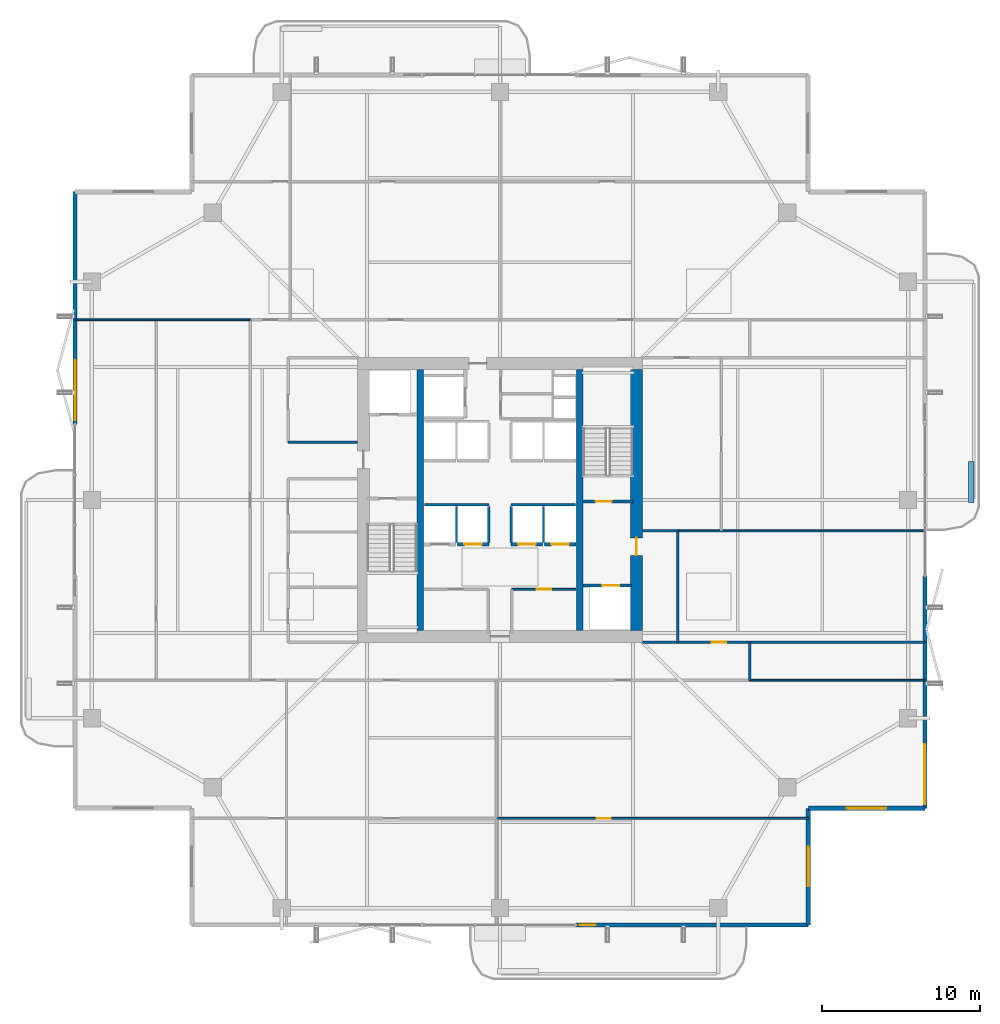
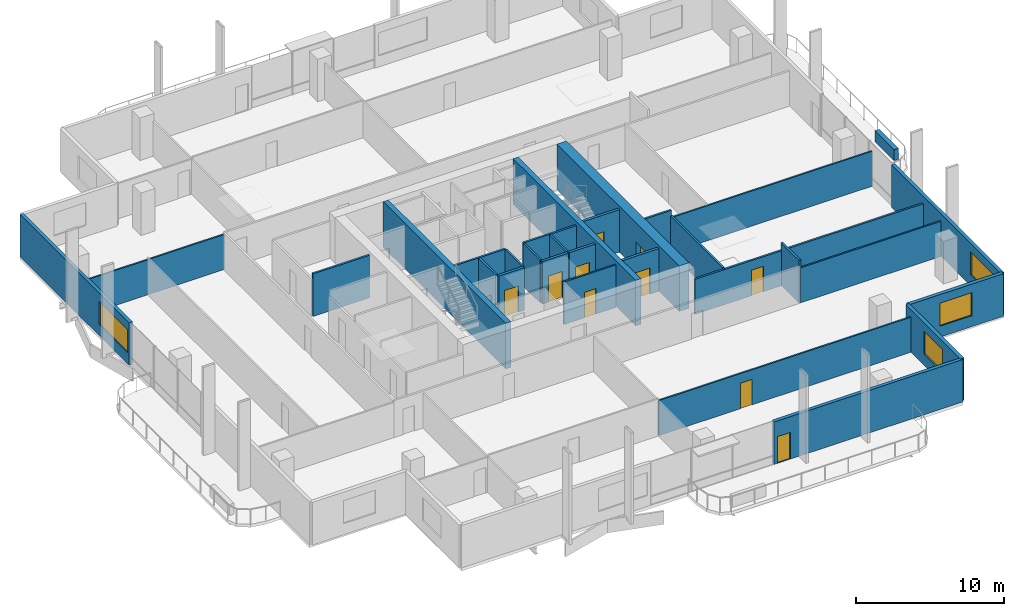
# One storey, part 18 of 24: 30 walls, 10 doors, 4 windows, 14 openings.
"""IFC4 building model written with IfcOpenShell, lengths in metres."""

from ifc_helpers import new_model, si_unit, direction, frame, frame_2d, origin, place, context, subcontext, project, spatial, rectangle, extrude, material, layer, layer_set, type_object, element, fill, save


model = new_model("IFC4")

# Units and contexts
model_context = context("Model", 3, precision=1e-05, world=origin(), true_north=direction((0.0, 1.0)))
body_context = subcontext(model_context, "Body", "Model", "MODEL_VIEW")
ifc_project = project(units=[si_unit("LENGTHUNIT", "METRE"), si_unit("AREAUNIT", "SQUARE_METRE"), si_unit("VOLUMEUNIT", "CUBIC_METRE"), si_unit("PLANEANGLEUNIT", "RADIAN"), si_unit("MASSUNIT", "GRAM", prefix="KILO")], contexts=[model_context])

# Site, building, storey
site_placement = place(None, origin())
site = spatial("IfcSite", under=ifc_project, at=site_placement, CompositionType="ELEMENT")
building_placement = place(site_placement, origin())
building = spatial("IfcBuilding", under=site, at=building_placement, Name="Belovzor Exchange Tower", CompositionType="ELEMENT")
storey_placement = place(building_placement, frame((0.0, 0.0, 211.199951171875)))
storey = spatial("IfcBuildingStorey", under=building, at=storey_placement, Name="L52", CompositionType="ELEMENT", Elevation=211.199951171875)

# Wall, opening, door
ifc_material_1 = material(Name="Acoustic Plasterboard on Galvanised Studs", Category="gypsum")
ifc_layer_1 = layer(ifc_material_1, 0.1201171875)
ifc_layer_set_1 = layer_set([ifc_layer_1], Name="Acoustic Plasterboard on Galvanised Studs")
wall_type_1 = type_object("IfcWallType", Name="Acoustic Double-Stud Partition Wall 120", PredefinedType="PARTITIONING", material=ifc_layer_set_1)
wall_1_placement = place(storey_placement, frame((28.56591796875, 8.6650390625, 0.0), z_axis=(0.0, 0.0, 1.0), x_axis=(1.0, 0.0, 0.0)))
wall_1 = element("IfcWall", 1, at=wall_1_placement, inside=storey, type_object=wall_type_1, Name="W-P120 Partition Wall W-L52-SHDIV-2", PredefinedType="PARTITIONING", context=body_context, shape_type="SweptSolid", body=[
    extrude(rectangle(XDim=19.734130859375, YDim=0.1201171875, at=frame_2d((9.8671875, 0.0))), origin(), (0.0, 0.0, 1.0), 2.885009765625),
])
opening_1_placement = place(wall_1_placement, frame((6.344970703125, 0.0, 0.0)))
opening_1 = element("IfcOpeningElement", 2, at=opening_1_placement, cuts=wall_1, Name="Opening D-INT-090", PredefinedType="OPENING", context=body_context, shape_type="SweptSolid", body=[
    extrude(rectangle(XDim=0.89990234375, YDim=2.10009765625, at=frame_2d((0.449951171875, 1.050048828125))), frame((0.0, 0.070068359375, 0.0), z_axis=(0.0, -1.0, 0.0), x_axis=(1.0, 0.0, 0.0)), (0.0, 0.0, 1.0), 0.14013671875),
])
ifc_material_2 = material(Name="Veneered Hardwood Acoustic Leaf", Category="wood")
door_type_1 = type_object("IfcDoorType", Name="Trading Suite Acoustic Single Door 900x2100", OperationType="NOTDEFINED", PredefinedType="DOOR", material=ifc_material_2)
door_1_placement = place(opening_1_placement, origin())
door_1 = element("IfcDoor", 3, at=door_1_placement, inside=storey, type_object=door_type_1, Name="D-INT-090 Trading Suite Acoustic Single Door 900x2100", OperationType="SINGLE_SWING_LEFT", OverallHeight=2.10009765625, OverallWidth=0.89990234375, PredefinedType="DOOR", context=body_context, shape_type="SweptSolid", body=[
    extrude(rectangle(XDim=0.89990234375, YDim=2.10009765625, at=frame_2d((0.449951171875, 1.050048828125))), frame((0.0, 0.02490234375, 0.0), z_axis=(0.0, -1.0, 0.0), x_axis=(1.0, 0.0, 0.0)), (0.0, 0.0, 1.0), 0.050048828125),
])
fill(opening_1, door_1)

# Walls
wall_2_placement = place(storey_placement, frame((40.050048828125, 26.85009765625, 0.0), z_axis=(0.0, 0.0, 1.0), x_axis=(1.0, 0.0, 0.0)))
element("IfcWall", 4, at=wall_2_placement, inside=storey, type_object=wall_type_1, Name="W-P120 Partition Wall W-L52-EDIV-1", PredefinedType="PARTITIONING", context=body_context, shape_type="SweptSolid", body=[
    extrude(rectangle(XDim=15.619873046875, YDim=0.1201171875, at=frame_2d((7.81005859375, 0.0))), origin(), (0.0, 0.0, 1.0), 2.885009765625),
])
wall_3_placement = place(storey_placement, frame((44.60009765625, 17.39990234375, 0.0), z_axis=(0.0, 0.0, 1.0), x_axis=(1.0, 0.0, 0.0)))
element("IfcWall", 5, at=wall_3_placement, inside=storey, type_object=wall_type_1, Name="W-P120 Partition Wall W-L52-END-SE", PredefinedType="PARTITIONING", context=body_context, shape_type="SweptSolid", body=[
    extrude(rectangle(XDim=11.06982421875, YDim=0.1201171875, at=frame_2d((5.534912109375, 0.0))), origin(), (0.0, 0.0, 1.0), 2.885009765625),
])
wall_4_placement = place(storey_placement, frame((1.929931640625, 40.199951171875, 0.0), z_axis=(0.0, 0.0, 1.0), x_axis=(1.0, 0.0, 0.0)))
element("IfcWall", 6, at=wall_4_placement, inside=storey, type_object=wall_type_1, Name="W-P120 Partition Wall W-L52-END-NW", PredefinedType="PARTITIONING", context=body_context, shape_type="SweptSolid", body=[
    extrude(rectangle(XDim=11.070068359375, YDim=0.1201171875, at=frame_2d((5.53515625, 0.0))), origin(), (0.0, 0.0, 1.0), 2.885009765625),
])

# Wall, opening, door
ifc_material_3 = material(Name="Fire-Rated Plasterboard on Galvanised Studs", Category="gypsum")
ifc_layer_2 = layer(ifc_material_3, 0.1201171875)
ifc_layer_set_2 = layer_set([ifc_layer_2], Name="Fire-Rated Plasterboard on Galvanised Studs")
wall_type_2 = type_object("IfcWallType", Name="Fire-Rated Double-Stud Partition Wall 120", PredefinedType="PARTITIONING", material=ifc_layer_set_2)
wall_5_placement = place(storey_placement, frame((29.550048828125, 23.14990234375, 0.0), z_axis=(0.0, 0.0, 1.0), x_axis=(1.0, 0.0, 0.0)))
wall_5 = element("IfcWall", 7, at=wall_5_placement, inside=storey, type_object=wall_type_2, Name="W-P120F Partition Wall W-CRL-L52-EN", PredefinedType="PARTITIONING", context=body_context, shape_type="SweptSolid", body=[
    extrude(rectangle(XDim=4.050048828125, YDim=0.1201171875, at=frame_2d((2.02490234375, 0.0))), origin(), (0.0, 0.0, 1.0), 3.5),
])
opening_2_placement = place(wall_5_placement, frame((1.574951171875, 0.0, 0.0)))
opening_2 = element("IfcOpeningElement", 8, at=opening_2_placement, cuts=wall_5, Name="Opening D-FD60-090", PredefinedType="OPENING", context=body_context, shape_type="SweptSolid", body=[
    extrude(rectangle(XDim=0.89990234375, YDim=2.10009765625, at=frame_2d((0.449951171875, 1.050048828125))), frame((0.0, 0.070068359375, 0.0), z_axis=(0.0, -1.0, 0.0), x_axis=(1.0, 0.0, 0.0)), (0.0, 0.0, 1.0), 0.14013671875),
])
ifc_material_4 = material(Name="Acoustic Timber Fire Leaf", Category="wood")
door_type_2 = type_object("IfcDoorType", Name="Core Service & Restroom Fire Door 900x2100", OperationType="NOTDEFINED", PredefinedType="DOOR", material=ifc_material_4)
door_2_placement = place(opening_2_placement, origin())
door_2 = element("IfcDoor", 9, at=door_2_placement, inside=storey, type_object=door_type_2, Name="D-FD60-090 Core Service & Restroom Fire Door 900x2100", OperationType="SINGLE_SWING_RIGHT", OverallHeight=2.10009765625, OverallWidth=0.89990234375, PredefinedType="DOOR", context=body_context, shape_type="SweptSolid", body=[
    extrude(rectangle(XDim=0.89990234375, YDim=2.10009765625, at=frame_2d((0.449951171875, 1.050048828125))), frame((0.0, 0.02490234375, 0.0), z_axis=(0.0, -1.0, 0.0), x_axis=(1.0, 0.0, 0.0)), (0.0, 0.0, 1.0), 0.050048828125),
])
fill(opening_2, door_2)

# Walls
ifc_material_5 = material(Name="Fire-Rated Gypsum Block and Mineral Wool", Category="gypsum")
ifc_layer_3 = layer(ifc_material_5, 0.14990234375)
ifc_layer_set_3 = layer_set([ifc_layer_3], Name="Fire-Rated Gypsum Block and Mineral Wool")
wall_type_3 = type_object("IfcWallType", Name="Fire-Rated Gypsum Block Corridor Wall 150", PredefinedType="PARTITIONING", material=ifc_layer_set_3)
wall_6_placement = place(storey_placement, frame((15.39990234375, 32.449951171875, 0.0), z_axis=(0.0, 0.0, 1.0), x_axis=(1.0, 0.0, 0.0)))
element("IfcWall", 10, at=wall_6_placement, inside=storey, type_object=wall_type_3, Name="W-P150 Partition Wall W-L52-CFW-N", PredefinedType="PARTITIONING", context=body_context, shape_type="SweptSolid", body=[
    extrude(rectangle(XDim=4.400146484375, YDim=0.14990234375, at=frame_2d((2.2001953125, 0.0))), origin(), (0.0, 0.0, 1.0), 3.5),
])
wall_7_placement = place(storey_placement, frame((37.800048828125, 26.85009765625, 0.0), z_axis=(0.0, 0.0, 1.0), x_axis=(1.0, 0.0, 0.0)))
element("IfcWall", 11, at=wall_7_placement, inside=storey, type_object=wall_type_3, Name="W-P150 Partition Wall W-L52-CFE-N", PredefinedType="PARTITIONING", context=body_context, shape_type="SweptSolid", body=[
    extrude(rectangle(XDim=2.25, YDim=0.14990234375, at=frame_2d((1.125, 0.0))), origin(), (0.0, 0.0, 1.0), 3.5),
])
wall_8_placement = place(storey_placement, frame((40.050048828125, 19.800048828125, 0.0), z_axis=(0.0, 0.0, 1.0), x_axis=(0.0, 1.0, 0.0)))
element("IfcWall", 12, at=wall_8_placement, inside=storey, type_object=wall_type_3, Name="W-P150 Partition Wall W-L52-CFE-E", PredefinedType="PARTITIONING", context=body_context, shape_type="SweptSolid", body=[
    extrude(rectangle(XDim=7.050048828125, YDim=0.14990234375, at=frame_2d((3.52490234375, 0.0))), origin(), (0.0, 0.0, 1.0), 3.03515625),
])
wall_9_placement = place(storey_placement, frame((44.60009765625, 17.39990234375, 0.0), z_axis=(0.0, 0.0, 1.0), x_axis=(0.0, 1.0, 0.0)))
element("IfcWall", 13, at=wall_9_placement, inside=storey, type_object=wall_type_3, Name="W-P150 Partition Wall W-L52-END-ES", PredefinedType="PARTITIONING", context=body_context, shape_type="SweptSolid", body=[
    extrude(rectangle(XDim=2.400146484375, YDim=0.14990234375, at=frame_2d((1.2001953125, 0.0))), origin(), (0.0, 0.0, 1.0), 3.5),
])

# Wall, opening, door
wall_10_placement = place(storey_placement, frame((37.800048828125, 19.800048828125, 0.0), z_axis=(0.0, 0.0, 1.0), x_axis=(1.0, 0.0, 0.0)))
wall_10 = element("IfcWall", 14, at=wall_10_placement, inside=storey, type_object=wall_type_3, Name="W-P150 Partition Wall W-L52-CS-IN", PredefinedType="PARTITIONING", context=body_context, shape_type="SweptSolid", body=[
    extrude(rectangle(XDim=17.869873046875, YDim=0.14990234375, at=frame_2d((8.93505859375, 0.0))), origin(), (0.0, 0.0, 1.0), 2.885009765625),
])
opening_3_placement = place(wall_10_placement, frame((4.39990234375, 0.0, 0.0)))
opening_3 = element("IfcOpeningElement", 15, at=opening_3_placement, cuts=wall_10, Name="Opening D-INT-090", PredefinedType="OPENING", context=body_context, shape_type="SweptSolid", body=[
    extrude(rectangle(XDim=0.89990234375, YDim=2.10009765625, at=frame_2d((0.449951171875, 1.050048828125))), frame((0.0, 0.0849609375, 0.0), z_axis=(0.0, -1.0, 0.0), x_axis=(1.0, 0.0, 0.0)), (0.0, 0.0, 1.0), 0.169921875),
])
door_3_placement = place(opening_3_placement, origin())
door_3 = element("IfcDoor", 16, at=door_3_placement, inside=storey, type_object=door_type_1, Name="D-INT-090 Trading Suite Acoustic Single Door 900x2100", OperationType="SINGLE_SWING_LEFT", OverallHeight=2.10009765625, OverallWidth=0.89990234375, PredefinedType="DOOR", context=body_context, shape_type="SweptSolid", body=[
    extrude(rectangle(XDim=0.89990234375, YDim=2.10009765625, at=frame_2d((0.449951171875, 1.050048828125))), frame((0.0, 0.02490234375, 0.0), z_axis=(0.0, -1.0, 0.0), x_axis=(1.0, 0.0, 0.0)), (0.0, 0.0, 1.0), 0.050048828125),
])
fill(opening_3, door_3)

# Wall, opening, window
ifc_material_6 = material(Name="Precast concrete C40/50", Category="concrete")
ifc_layer_4 = layer(ifc_material_6, 0.280029296875)
ifc_layer_set_4 = layer_set([ifc_layer_4], Name="Precast concrete C40/50")
wall_type_4 = type_object("IfcWallType", Name="Precast Concrete Notched Corner Frame Wall 280", PredefinedType="SOLIDWALL", material=ifc_layer_set_4)
wall_11_placement = place(storey_placement, frame((55.669921875, 9.300048828125, 0.0), z_axis=(0.0, 0.0, 1.0), x_axis=(-1.0, 0.0, 0.0)))
wall_11 = element("IfcWall", 17, at=wall_11_placement, inside=storey, type_object=wall_type_4, Name="W-CRN280 Precast Concrete Notched Corner Frame Wall 280 L52", PredefinedType="SOLIDWALL", context=body_context, shape_type="SweptSolid", body=[
    extrude(rectangle(XDim=7.369873046875, YDim=0.280029296875, at=frame_2d((3.68505859375, 0.0))), origin(), (0.0, 0.0, 1.0), 3.5),
])
opening_4_placement = place(wall_11_placement, frame((2.43505859375, 0.0, 0.89990234375)))
opening_4 = element("IfcOpeningElement", 18, at=opening_4_placement, cuts=wall_11, Name="Opening WN-CRN250", PredefinedType="OPENING", context=body_context, shape_type="SweptSolid", body=[
    extrude(rectangle(XDim=2.5, YDim=1.89990234375, at=frame_2d((1.25, 0.949951171875))), frame((0.0, 0.14990234375, 0.0), z_axis=(0.0, -1.0, 0.0), x_axis=(1.0, 0.0, 0.0)), (0.0, 0.0, 1.0), 0.300048828125),
])
ifc_material_7 = material(Name="Thermally Broken Aluminium and Triple Glazing", Category="aluminium")
window_type_1 = type_object("IfcWindowType", Name="Streamline Moderne Corner Wrap Ribbon Window 2500x1900", PartitioningType="SINGLE_PANEL", PredefinedType="WINDOW", material=ifc_material_7)
window_1_placement = place(opening_4_placement, origin())
window_1 = element("IfcWindow", 19, at=window_1_placement, inside=storey, type_object=window_type_1, Name="WN-CRN250 Streamline Moderne Corner Wrap Ribbon Window 2500x1900", OverallHeight=1.89990234375, OverallWidth=2.5, PartitioningType="SINGLE_PANEL", PredefinedType="WINDOW", context=body_context, shape_type="SweptSolid", body=[
    extrude(rectangle(XDim=2.5, YDim=1.89990234375, at=frame_2d((1.25, 0.949951171875))), frame((0.0, 0.030029296875, 0.0), z_axis=(0.0, -1.0, 0.0), x_axis=(1.0, 0.0, 0.0)), (0.0, 0.0, 1.0), 0.06005859375),
])
fill(opening_4, window_1)

wall_12_placement = place(storey_placement, frame((48.300048828125, 9.300048828125, 0.0), z_axis=(0.0, 0.0, 1.0), x_axis=(0.0, -1.0, 0.0)))
wall_12 = element("IfcWall", 20, at=wall_12_placement, inside=storey, type_object=wall_type_4, Name="W-CRN280 Precast Concrete Notched Corner Frame Wall 280 L52", PredefinedType="SOLIDWALL", context=body_context, shape_type="SweptSolid", body=[
    extrude(rectangle(XDim=7.3701171875, YDim=0.280029296875, at=frame_2d((3.68505859375, 0.0))), origin(), (0.0, 0.0, 1.0), 3.5),
])
opening_5_placement = place(wall_12_placement, frame((2.43505859375, 0.0, 0.89990234375)))
opening_5 = element("IfcOpeningElement", 21, at=opening_5_placement, cuts=wall_12, Name="Opening WN-CRN250", PredefinedType="OPENING", context=body_context, shape_type="SweptSolid", body=[
    extrude(rectangle(XDim=2.5, YDim=1.89990234375, at=frame_2d((1.25, 0.949951171875))), frame((0.0, 0.14990234375, 0.0), z_axis=(0.0, -1.0, 0.0), x_axis=(1.0, 0.0, 0.0)), (0.0, 0.0, 1.0), 0.300048828125),
])
window_2_placement = place(opening_5_placement, origin())
window_2 = element("IfcWindow", 22, at=window_2_placement, inside=storey, type_object=window_type_1, Name="WN-CRN250 Streamline Moderne Corner Wrap Ribbon Window 2500x1900", OverallHeight=1.89990234375, OverallWidth=2.5, PartitioningType="SINGLE_PANEL", PredefinedType="WINDOW", context=body_context, shape_type="SweptSolid", body=[
    extrude(rectangle(XDim=2.5, YDim=1.89990234375, at=frame_2d((1.25, 0.949951171875))), frame((0.0, 0.030029296875, 0.0), z_axis=(0.0, -1.0, 0.0), x_axis=(1.0, 0.0, 0.0)), (0.0, 0.0, 1.0), 0.06005859375),
])
fill(opening_5, window_2)

# Wall, opening, door
ifc_material_8 = material(Name="Precast concrete C40/50", Category="concrete")
ifc_layer_5 = layer(ifc_material_8, 0.260009765625)
ifc_layer_set_5 = layer_set([ifc_layer_5], Name="Precast concrete C40/50")
wall_type_5 = type_object("IfcWallType", Name="Precast Concrete Perimeter Loggia Frame Wall 260", PredefinedType="SOLIDWALL", material=ifc_layer_set_5)
wall_13_placement = place(storey_placement, frame((48.300048828125, 1.929931640625, 0.0), z_axis=(0.0, 0.0, 1.0), x_axis=(-1.0, 0.0, 0.0)))
wall_13 = element("IfcWall", 23, at=wall_13_placement, inside=storey, type_object=wall_type_5, Name="W-EXT260 Precast Concrete Perimeter Loggia Frame Wall 260 L52", PredefinedType="SOLIDWALL", context=body_context, shape_type="SweptSolid", body=[
    extrude(rectangle(XDim=14.699951171875, YDim=0.260009765625, at=frame_2d((7.35009765625, 0.0))), origin(), (0.0, 0.0, 1.0), 3.5),
])
opening_6_placement = place(wall_13_placement, frame((13.449951171875, 0.0, 0.0)))
opening_6 = element("IfcOpeningElement", 24, at=opening_6_placement, cuts=wall_13, Name="Opening D-BAL100", PredefinedType="OPENING", context=body_context, shape_type="SweptSolid", body=[
    extrude(rectangle(XDim=1.0, YDim=2.199951171875, at=frame_2d((0.5, 1.10009765625))), frame((0.0, 0.139892578125, 0.0), z_axis=(0.0, -1.0, 0.0), x_axis=(1.0, 0.0, 0.0)), (0.0, 0.0, 1.0), 0.280029296875),
])
ifc_material_9 = material(Name="Thermally Broken Anodised Aluminium and Laminated Glass", Category="aluminium")
door_type_3 = type_object("IfcDoorType", Name="Planted Loggia Terrace Glazed Door 1000x2200", OperationType="SINGLE_SWING_LEFT", PredefinedType="DOOR", material=ifc_material_9)
door_4_placement = place(opening_6_placement, origin())
door_4 = element("IfcDoor", 25, at=door_4_placement, inside=storey, type_object=door_type_3, Name="D-BAL100 Balcony Terrace Door L52 S", OperationType="SINGLE_SWING_LEFT", OverallHeight=2.199951171875, OverallWidth=1.0, PredefinedType="DOOR", context=body_context, shape_type="SweptSolid", body=[
    extrude(rectangle(XDim=1.0, YDim=2.199951171875, at=frame_2d((0.5, 1.10009765625))), frame((0.0, 0.02490234375, 0.0), z_axis=(0.0, -1.0, 0.0), x_axis=(1.0, 0.0, 0.0)), (0.0, 0.0, 1.0), 0.050048828125),
])
fill(opening_6, door_4)

# Wall, opening, window
wall_14_placement = place(storey_placement, frame((1.929931640625, 33.60009765625, 0.0), z_axis=(0.0, 0.0, 1.0), x_axis=(0.0, 1.0, 0.0)))
wall_14 = element("IfcWall", 26, at=wall_14_placement, inside=storey, type_object=wall_type_5, Name="W-EXT260 Precast Concrete Perimeter Loggia Frame Wall 260 L52", PredefinedType="SOLIDWALL", context=body_context, shape_type="SweptSolid", body=[
    extrude(rectangle(XDim=14.699951171875, YDim=0.260009765625, at=frame_2d((7.35009765625, 0.0))), origin(), (0.0, 0.0, 1.0), 3.5),
])
opening_7_placement = place(wall_14_placement, frame((0.25, 0.0, 0.89990234375)))
opening_7 = element("IfcOpeningElement", 27, at=opening_7_placement, cuts=wall_14, Name="Opening WN-RIB380", PredefinedType="OPENING", context=body_context, shape_type="SweptSolid", body=[
    extrude(rectangle(XDim=3.800048828125, YDim=1.89990234375, at=frame_2d((1.89990234375, 0.949951171875))), frame((0.0, 0.139892578125, 0.0), z_axis=(0.0, -1.0, 0.0), x_axis=(1.0, 0.0, 0.0)), (0.0, 0.0, 1.0), 0.280029296875),
])
ifc_material_10 = material(Name="Thermally Broken Aluminium and Triple Glazing", Category="aluminium")
window_type_2 = type_object("IfcWindowType", Name="Streamline Moderne Horizontal Ribbon Window 3800x1900", PartitioningType="SINGLE_PANEL", PredefinedType="WINDOW", material=ifc_material_10)
window_3_placement = place(opening_7_placement, origin())
window_3 = element("IfcWindow", 28, at=window_3_placement, inside=storey, type_object=window_type_2, Name="WN-RIB380 Streamline Moderne Horizontal Ribbon Window 3800x1900", OverallHeight=1.89990234375, OverallWidth=3.800048828125, PartitioningType="SINGLE_PANEL", PredefinedType="WINDOW", context=body_context, shape_type="SweptSolid", body=[
    extrude(rectangle(XDim=3.800048828125, YDim=1.89990234375, at=frame_2d((1.89990234375, 0.949951171875))), frame((0.0, 0.030029296875, 0.0), z_axis=(0.0, -1.0, 0.0), x_axis=(1.0, 0.0, 0.0)), (0.0, 0.0, 1.0), 0.06005859375),
])
fill(opening_7, window_3)

wall_15_placement = place(storey_placement, frame((55.669921875, 24.0, 0.0), z_axis=(0.0, 0.0, 1.0), x_axis=(0.0, -1.0, 0.0)))
wall_15 = element("IfcWall", 29, at=wall_15_placement, inside=storey, type_object=wall_type_5, Name="W-EXT260 Precast Concrete Perimeter Loggia Frame Wall 260 L52", PredefinedType="SOLIDWALL", context=body_context, shape_type="SweptSolid", body=[
    extrude(rectangle(XDim=14.699951171875, YDim=0.260009765625, at=frame_2d((7.35009765625, 0.0))), origin(), (0.0, 0.0, 1.0), 3.5),
])
opening_8_placement = place(wall_15_placement, frame((10.64990234375, 0.0, 0.89990234375)))
opening_8 = element("IfcOpeningElement", 30, at=opening_8_placement, cuts=wall_15, Name="Opening WN-RIB380", PredefinedType="OPENING", context=body_context, shape_type="SweptSolid", body=[
    extrude(rectangle(XDim=3.800048828125, YDim=1.89990234375, at=frame_2d((1.89990234375, 0.949951171875))), frame((0.0, 0.139892578125, 0.0), z_axis=(0.0, -1.0, 0.0), x_axis=(1.0, 0.0, 0.0)), (0.0, 0.0, 1.0), 0.280029296875),
])
window_4_placement = place(opening_8_placement, origin())
window_4 = element("IfcWindow", 31, at=window_4_placement, inside=storey, type_object=window_type_2, Name="WN-RIB380 Streamline Moderne Horizontal Ribbon Window 3800x1900", OverallHeight=1.89990234375, OverallWidth=3.800048828125, PartitioningType="SINGLE_PANEL", PredefinedType="WINDOW", context=body_context, shape_type="SweptSolid", body=[
    extrude(rectangle(XDim=3.800048828125, YDim=1.89990234375, at=frame_2d((1.89990234375, 0.949951171875))), frame((0.0, 0.030029296875, 0.0), z_axis=(0.0, -1.0, 0.0), x_axis=(1.0, 0.0, 0.0)), (0.0, 0.0, 1.0), 0.06005859375),
])
fill(opening_8, window_4)

# Walls
ifc_material_11 = material(Name="Precast concrete C40/50", Category="concrete")
ifc_layer_6 = layer(ifc_material_11, 0.35009765625)
ifc_layer_set_6 = layer_set([ifc_layer_6], Name="Precast concrete C40/50")
wall_type_6 = type_object("IfcWallType", Name="Precast Concrete Structural Tree Planter Trough 350", PredefinedType="PARAPET", material=ifc_layer_set_6)
wall_16_placement = place(storey_placement, frame((58.60009765625, 28.64990234375, 0.0), z_axis=(0.0, 0.0, 1.0), x_axis=(0.0, 1.0, 0.0)))
element("IfcWall", 32, at=wall_16_placement, inside=storey, type_object=wall_type_6, Name="PT-350 Precast Concrete Structural Tree Planter Trough 350 L52", PredefinedType="PARAPET", context=body_context, shape_type="SweptSolid", body=[
    extrude(rectangle(XDim=2.60009765625, YDim=0.35009765625, at=frame_2d((1.300048828125, 0.0))), origin(), (0.0, 0.0, 1.0), 0.900146484375),
])
ifc_material_12 = material(Name="Concrete C50/60", Category="concrete")
ifc_layer_7 = layer(ifc_material_12, 0.39990234375)
ifc_layer_set_7 = layer_set([ifc_layer_7], Name="Concrete C50/60")
wall_type_7 = type_object("IfcWallType", Name="Reinforced Concrete Core Internal Web Wall 400", PredefinedType="SHEAR", material=ifc_layer_set_7)
for number, where, z_axis, x_axis, name in (
    (33, (23.75, 20.550048828125, 0.0), (0.0, 0.0, 1.0), (0.0, 1.0, 0.0), "CW-W040 Core Internal Web Wall L52 WL"),
    (34, (33.85009765625, 20.550048828125, 0.0), (0.0, 0.0, 1.0), (0.0, 1.0, 0.0), "CW-W040 Core Internal Web Wall L52 ER"),
):
    element("IfcWall", number, at=place(storey_placement, frame(where, z_axis=z_axis, x_axis=x_axis)), inside=storey, type_object=wall_type_7, Name=name, PredefinedType="SHEAR", context=body_context, shape_type="SweptSolid", body=[
        extrude(rectangle(XDim=16.5, YDim=0.39990234375, at=frame_2d((8.25, 0.0))), origin(), (0.0, 0.0, 1.0), 3.75),
    ])
ifc_material_13 = material(Name="Concrete C50/60", Category="concrete")
ifc_layer_8 = layer(ifc_material_13, 0.14990234375)
ifc_layer_set_8 = layer_set([ifc_layer_8], Name="Concrete C50/60")
wall_type_8 = type_object("IfcWallType", Name="Reinforced Concrete Core Riser Shear Wall 150", PredefinedType="SHEAR", material=ifc_layer_set_8)
for number, where, z_axis, x_axis, name in (
    (35, (24.02001953125, 28.5, 0.0), (0.0, 0.0, 1.0), (1.0, 0.0, 0.0), "W-C150S Core Shaft Wall W-SHB-L52-PLM-NW"),
    (36, (29.5, 28.5, 0.0), (0.0, 0.0, 1.0), (1.0, 0.0, 0.0), "W-C150S Core Shaft Wall W-SHB-L52-PLM-NE"),
):
    element("IfcWall", number, at=place(storey_placement, frame(where, z_axis=z_axis, x_axis=x_axis)), inside=storey, type_object=wall_type_8, Name=name, PredefinedType="SHEAR", context=body_context, shape_type="SweptSolid", body=[
        extrude(rectangle(XDim=4.080078125, YDim=0.14990234375, at=frame_2d((2.0400390625, 0.0))), origin(), (0.0, 0.0, 1.0), 3.5),
    ])
for number, where, z_axis, x_axis, name in (
    (37, (26.050048828125, 26.1201171875, 0.0), (0.0, 0.0, 1.0), (0.0, 1.0, 0.0), "W-C150S Core Shaft Wall W-SHD-L52-PLM-1"),
    (38, (28.10009765625, 26.1201171875, 0.0), (0.0, 0.0, 1.0), (0.0, 1.0, 0.0), "W-C150S Core Shaft Wall W-SHD-L52-PLM-2"),
    (39, (29.5, 26.1201171875, 0.0), (0.0, 0.0, 1.0), (0.0, 1.0, 0.0), "W-C150S Core Shaft Wall W-SHD-L52-PLM-3"),
    (40, (31.550048828125, 26.1201171875, 0.0), (0.0, 0.0, 1.0), (0.0, 1.0, 0.0), "W-C150S Core Shaft Wall W-SHD-L52-PLM-4"),
):
    element("IfcWall", number, at=place(storey_placement, frame(where, z_axis=z_axis, x_axis=x_axis)), inside=storey, type_object=wall_type_8, Name=name, PredefinedType="SHEAR", context=body_context, shape_type="SweptSolid", body=[
        extrude(rectangle(XDim=2.27978515625, YDim=0.14990234375, at=frame_2d((1.139892578125, 0.0))), origin(), (0.0, 0.0, 1.0), 3.5),
    ])

# Wall, opening, door
ifc_material_14 = material(Name="Concrete C50/60", Category="concrete")
ifc_layer_9 = layer(ifc_material_14, 0.199951171875)
ifc_layer_set_9 = layer_set([ifc_layer_9], Name="Concrete C50/60")
wall_type_9 = type_object("IfcWallType", Name="Reinforced Concrete Core Shaft Shear Wall 200", PredefinedType="SHEAR", material=ifc_layer_set_9)
wall_17_placement = place(storey_placement, frame((34.050048828125, 28.699951171875, 0.0), z_axis=(0.0, 0.0, 1.0), x_axis=(1.0, 0.0, 0.0)))
wall_17 = element("IfcWall", 41, at=wall_17_placement, inside=storey, type_object=wall_type_9, Name="W-C200S Core Shaft Wall W-CORE-L52-FFLE2", PredefinedType="SHEAR", context=body_context, shape_type="SweptSolid", body=[
    extrude(rectangle(XDim=3.14990234375, YDim=0.199951171875, at=frame_2d((1.574951171875, 0.0))), origin(), (0.0, 0.0, 1.0), 3.5),
])
opening_9_placement = place(wall_17_placement, frame((0.800048828125, 0.0, 0.0)))
opening_9 = element("IfcOpeningElement", 42, at=opening_9_placement, cuts=wall_17, Name="Opening D-FD90-100", PredefinedType="OPENING", context=body_context, shape_type="SweptSolid", body=[
    extrude(rectangle(XDim=1.0, YDim=2.10009765625, at=frame_2d((0.5, 1.050048828125))), frame((0.0, 0.10986328125, 0.0), z_axis=(0.0, -1.0, 0.0), x_axis=(1.0, 0.0, 0.0)), (0.0, 0.0, 1.0), 0.219970703125),
])
ifc_material_15 = material(Name="Fire-Rated Galvanised Steel Leaf", Category="steel")
door_type_4 = type_object("IfcDoorType", Name="Protected Stairwell Single Fire Door 1000x2100", OperationType="NOTDEFINED", PredefinedType="DOOR", material=ifc_material_15)
door_5_placement = place(opening_9_placement, origin())
door_5 = element("IfcDoor", 43, at=door_5_placement, inside=storey, type_object=door_type_4, Name="D-FD90-100 Protected Stairwell Single Fire Door 1000x2100", OperationType="SINGLE_SWING_LEFT", OverallHeight=2.10009765625, OverallWidth=1.0, PredefinedType="DOOR", context=body_context, shape_type="SweptSolid", body=[
    extrude(rectangle(XDim=1.0, YDim=2.10009765625, at=frame_2d((0.5, 1.050048828125))), frame((0.0, 0.02490234375, 0.0), z_axis=(0.0, -1.0, 0.0), x_axis=(1.0, 0.0, 0.0)), (0.0, 0.0, 1.0), 0.050048828125),
])
fill(opening_9, door_5)

wall_18_placement = place(storey_placement, frame((34.050048828125, 23.39990234375, 0.0), z_axis=(0.0, 0.0, 1.0), x_axis=(1.0, 0.0, 0.0)))
wall_18 = element("IfcWall", 44, at=wall_18_placement, inside=storey, type_object=wall_type_9, Name="W-C200S Core Shaft Wall W-SH-L52-FFL-02", PredefinedType="SHEAR", context=body_context, shape_type="SweptSolid", body=[
    extrude(rectangle(XDim=3.050048828125, YDim=0.199951171875, at=frame_2d((1.52490234375, 0.0))), origin(), (0.0, 0.0, 1.0), 3.5),
])
opening_10_placement = place(wall_18_placement, frame((1.199951171875, 0.0, 0.0)))
opening_10 = element("IfcOpeningElement", 45, at=opening_10_placement, cuts=wall_18, Name="Opening LD-110", PredefinedType="OPENING", context=body_context, shape_type="SweptSolid", body=[
    extrude(rectangle(XDim=1.10009765625, YDim=2.14990234375, at=frame_2d((0.550048828125, 1.074951171875))), frame((0.0, 0.10986328125, 0.0), z_axis=(0.0, -1.0, 0.0), x_axis=(1.0, 0.0, 0.0)), (0.0, 0.0, 1.0), 0.219970703125),
])
ifc_material_16 = material(Name="Stainless Steel Grade 304", Category="steel")
door_type_5 = type_object("IfcDoorType", Name="Automated Stainless Steel Lift Landing Door 1100x2150", OperationType="SLIDING_TO_RIGHT", PredefinedType="DOOR", material=ifc_material_16)
door_6_placement = place(opening_10_placement, origin())
door_6 = element("IfcDoor", 46, at=door_6_placement, inside=storey, type_object=door_type_5, Name="LD-110 Automated Stainless Steel Lift Landing Door 1100x2150", OperationType="SLIDING_TO_RIGHT", OverallHeight=2.14990234375, OverallWidth=1.10009765625, PredefinedType="DOOR", context=body_context, shape_type="SweptSolid", body=[
    extrude(rectangle(XDim=1.10009765625, YDim=2.14990234375, at=frame_2d((0.550048828125, 1.074951171875))), frame((0.0, 0.02490234375, 0.0), z_axis=(0.0, -1.0, 0.0), x_axis=(1.0, 0.0, 0.0)), (0.0, 0.0, 1.0), 0.050048828125),
])
fill(opening_10, door_6)

wall_19_placement = place(storey_placement, frame((26.10009765625, 26.0, 0.0), z_axis=(0.0, 0.0, 1.0), x_axis=(1.0, 0.0, 0.0)))
wall_19 = element("IfcWall", 47, at=wall_19_placement, inside=storey, type_object=wall_type_9, Name="W-C200S Core Shaft Wall W-SH-L52-PL-M2", PredefinedType="SHEAR", context=body_context, shape_type="SweptSolid", body=[
    extrude(rectangle(XDim=2.0, YDim=0.199951171875, at=frame_2d((1.0, 0.0))), origin(), (0.0, 0.0, 1.0), 3.5),
])
opening_11_placement = place(wall_19_placement, frame((0.449951171875, 0.0, 0.0)))
opening_11 = element("IfcOpeningElement", 48, at=opening_11_placement, cuts=wall_19, Name="Opening LD-110", PredefinedType="OPENING", context=body_context, shape_type="SweptSolid", body=[
    extrude(rectangle(XDim=1.10009765625, YDim=2.14990234375, at=frame_2d((0.550048828125, 1.074951171875))), frame((0.0, 0.10986328125, 0.0), z_axis=(0.0, -1.0, 0.0), x_axis=(1.0, 0.0, 0.0)), (0.0, 0.0, 1.0), 0.219970703125),
])
door_7_placement = place(opening_11_placement, origin())
door_7 = element("IfcDoor", 49, at=door_7_placement, inside=storey, type_object=door_type_5, Name="LD-110 Automated Stainless Steel Lift Landing Door 1100x2150", OperationType="SLIDING_TO_RIGHT", OverallHeight=2.14990234375, OverallWidth=1.10009765625, PredefinedType="DOOR", context=body_context, shape_type="SweptSolid", body=[
    extrude(rectangle(XDim=1.10009765625, YDim=2.14990234375, at=frame_2d((0.550048828125, 1.074951171875))), frame((0.0, 0.02490234375, 0.0), z_axis=(0.0, -1.0, 0.0), x_axis=(1.0, 0.0, 0.0)), (0.0, 0.0, 1.0), 0.050048828125),
])
fill(opening_11, door_7)

wall_20_placement = place(storey_placement, frame((29.5, 26.0, 0.0), z_axis=(0.0, 0.0, 1.0), x_axis=(1.0, 0.0, 0.0)))
wall_20 = element("IfcWall", 50, at=wall_20_placement, inside=storey, type_object=wall_type_9, Name="W-C200S Core Shaft Wall W-SH-L52-PL-M3", PredefinedType="SHEAR", context=body_context, shape_type="SweptSolid", body=[
    extrude(rectangle(XDim=2.0, YDim=0.199951171875, at=frame_2d((1.0, 0.0))), origin(), (0.0, 0.0, 1.0), 3.5),
])
opening_12_placement = place(wall_20_placement, frame((0.449951171875, 0.0, 0.0)))
opening_12 = element("IfcOpeningElement", 51, at=opening_12_placement, cuts=wall_20, Name="Opening LD-110", PredefinedType="OPENING", context=body_context, shape_type="SweptSolid", body=[
    extrude(rectangle(XDim=1.10009765625, YDim=2.14990234375, at=frame_2d((0.550048828125, 1.074951171875))), frame((0.0, 0.10986328125, 0.0), z_axis=(0.0, -1.0, 0.0), x_axis=(1.0, 0.0, 0.0)), (0.0, 0.0, 1.0), 0.219970703125),
])
door_8_placement = place(opening_12_placement, origin())
door_8 = element("IfcDoor", 52, at=door_8_placement, inside=storey, type_object=door_type_5, Name="LD-110 Automated Stainless Steel Lift Landing Door 1100x2150", OperationType="SLIDING_TO_RIGHT", OverallHeight=2.14990234375, OverallWidth=1.10009765625, PredefinedType="DOOR", context=body_context, shape_type="SweptSolid", body=[
    extrude(rectangle(XDim=1.10009765625, YDim=2.14990234375, at=frame_2d((0.550048828125, 1.074951171875))), frame((0.0, 0.02490234375, 0.0), z_axis=(0.0, -1.0, 0.0), x_axis=(1.0, 0.0, 0.0)), (0.0, 0.0, 1.0), 0.050048828125),
])
fill(opening_12, door_8)

wall_21_placement = place(storey_placement, frame((31.60009765625, 26.0, 0.0), z_axis=(0.0, 0.0, 1.0), x_axis=(1.0, 0.0, 0.0)))
wall_21 = element("IfcWall", 53, at=wall_21_placement, inside=storey, type_object=wall_type_9, Name="W-C200S Core Shaft Wall W-SH-L52-PL-M4", PredefinedType="SHEAR", context=body_context, shape_type="SweptSolid", body=[
    extrude(rectangle(XDim=2.0, YDim=0.199951171875, at=frame_2d((1.0, 0.0))), origin(), (0.0, 0.0, 1.0), 3.5),
])
opening_13_placement = place(wall_21_placement, frame((0.449951171875, 0.0, 0.0)))
opening_13 = element("IfcOpeningElement", 54, at=opening_13_placement, cuts=wall_21, Name="Opening LD-110", PredefinedType="OPENING", context=body_context, shape_type="SweptSolid", body=[
    extrude(rectangle(XDim=1.10009765625, YDim=2.14990234375, at=frame_2d((0.550048828125, 1.074951171875))), frame((0.0, 0.10986328125, 0.0), z_axis=(0.0, -1.0, 0.0), x_axis=(1.0, 0.0, 0.0)), (0.0, 0.0, 1.0), 0.219970703125),
])
door_9_placement = place(opening_13_placement, origin())
door_9 = element("IfcDoor", 55, at=door_9_placement, inside=storey, type_object=door_type_5, Name="LD-110 Automated Stainless Steel Lift Landing Door 1100x2150", OperationType="SLIDING_TO_RIGHT", OverallHeight=2.14990234375, OverallWidth=1.10009765625, PredefinedType="DOOR", context=body_context, shape_type="SweptSolid", body=[
    extrude(rectangle(XDim=1.10009765625, YDim=2.14990234375, at=frame_2d((0.550048828125, 1.074951171875))), frame((0.0, 0.02490234375, 0.0), z_axis=(0.0, -1.0, 0.0), x_axis=(1.0, 0.0, 0.0)), (0.0, 0.0, 1.0), 0.050048828125),
])
fill(opening_13, door_9)

ifc_material_17 = material(Name="Concrete C50/60", Category="concrete")
ifc_layer_10 = layer(ifc_material_17, 0.75)
ifc_layer_set_10 = layer_set([ifc_layer_10], Name="Concrete C50/60")
wall_type_10 = type_object("IfcWallType", Name="Reinforced Concrete Core Shear Wall 750", PredefinedType="SHEAR", material=ifc_layer_set_10)
wall_22_placement = place(storey_placement, frame((37.425048828125, 20.550048828125, 0.0), z_axis=(0.0, 0.0, 1.0), x_axis=(0.0, 1.0, 0.0)))
wall_22 = element("IfcWall", 56, at=wall_22_placement, inside=storey, type_object=wall_type_10, Name="CW-S075 Core Shear Wall L52 E", PredefinedType="SHEAR", context=body_context, shape_type="SweptSolid", body=[
    extrude(rectangle(XDim=16.5, YDim=0.75, at=frame_2d((8.25, 0.0))), origin(), (0.0, 0.0, 1.0), 3.75),
])
opening_14_placement = place(wall_22_placement, frame((4.75, 0.0, 0.0)))
opening_14 = element("IfcOpeningElement", 57, at=opening_14_placement, cuts=wall_22, Name="Opening D-FD90-110", PredefinedType="OPENING", context=body_context, shape_type="SweptSolid", body=[
    extrude(rectangle(XDim=1.10009765625, YDim=2.14990234375, at=frame_2d((0.550048828125, 1.074951171875))), frame((0.0, 0.385009765625, 0.0), z_axis=(0.0, -1.0, 0.0), x_axis=(1.0, 0.0, 0.0)), (0.0, 0.0, 1.0), 0.77001953125),
])
ifc_material_18 = material(Name="Fire-Rated Galvanised Steel Leaf", Category="steel")
door_type_6 = type_object("IfcDoorType", Name="Protected Escape Vestibule Fire Door 1100x2150", OperationType="NOTDEFINED", PredefinedType="DOOR", material=ifc_material_18)
door_10_placement = place(opening_14_placement, origin())
door_10 = element("IfcDoor", 58, at=door_10_placement, inside=storey, type_object=door_type_6, Name="D-FD90-110 Protected Escape Vestibule Fire Door 1100x2150", OperationType="SINGLE_SWING_RIGHT", OverallHeight=2.14990234375, OverallWidth=1.10009765625, PredefinedType="DOOR", context=body_context, shape_type="SweptSolid", body=[
    extrude(rectangle(XDim=1.10009765625, YDim=2.14990234375, at=frame_2d((0.550048828125, 1.074951171875))), frame((0.0, 0.02490234375, 0.0), z_axis=(0.0, -1.0, 0.0), x_axis=(1.0, 0.0, 0.0)), (0.0, 0.0, 1.0), 0.050048828125),
])
fill(opening_14, door_10)

save(model, "model.ifc")
